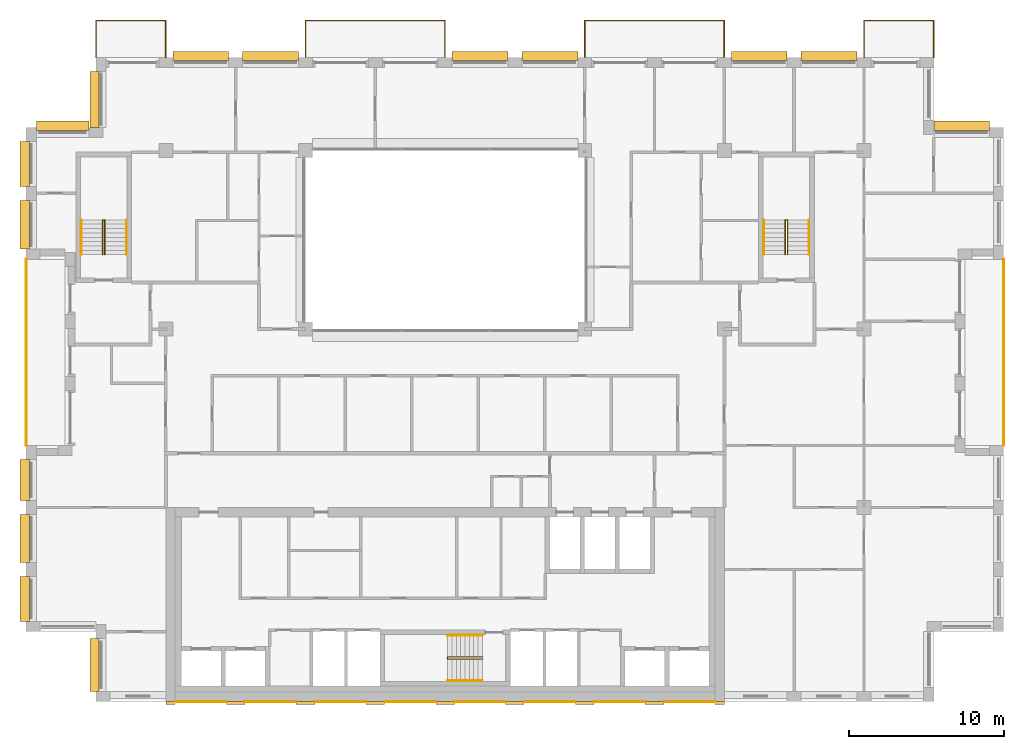
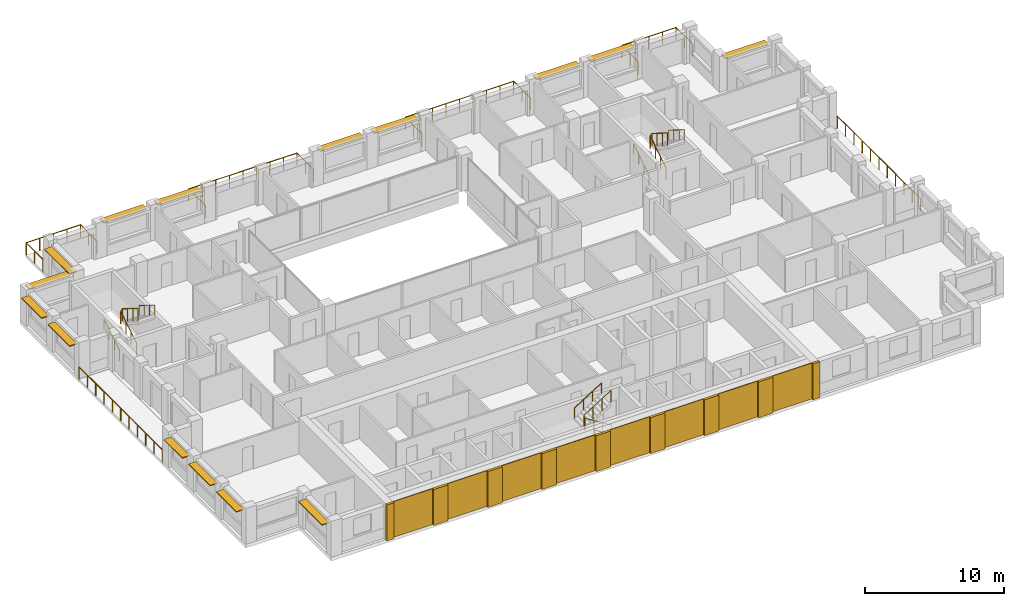
# One storey, part 15 of 15: 17 coverings, 15 railings, 15 shading devices.
"""IFC4 building model written with IfcOpenShell, lengths in metres."""

from ifc_helpers import new_model, si_unit, direction, frame, origin, origin_2d, place, context, subcontext, project, spatial, rectangle, circle, extrude, material, layer, layer_set, type_object, element, save


model = new_model("IFC4")

# Units and contexts
model_context = context("Model", 3, precision=1e-05, world=origin(), true_north=direction((0.0, 1.0)))
body_context = subcontext(model_context, "Body", "Model", "MODEL_VIEW")
ifc_project = project(units=[si_unit("LENGTHUNIT", "METRE"), si_unit("AREAUNIT", "SQUARE_METRE"), si_unit("VOLUMEUNIT", "CUBIC_METRE"), si_unit("PLANEANGLEUNIT", "RADIAN"), si_unit("MASSUNIT", "GRAM", prefix="KILO")], contexts=[model_context])

# Site, building, storey
site_placement = place(None, origin())
site = spatial("IfcSite", under=ifc_project, at=site_placement, CompositionType="ELEMENT")
building_placement = place(site_placement, origin())
building = spatial("IfcBuilding", under=site, at=building_placement, Name="Brigalow Station Residences", CompositionType="ELEMENT")
storey_placement = place(building_placement, frame((0.0, 0.0, 216.89990234375)))
storey = spatial("IfcBuildingStorey", under=building, at=storey_placement, Name="L62", CompositionType="ELEMENT", Elevation=216.89990234375)

# Railings
ifc_material_1 = material(Name="Stainless steel balustrade with laminated glass infill", Category="steel")
railing_type_1 = type_object("IfcRailingType", Name="BALCONY GUARD 1100", PredefinedType="GUARDRAIL", material=ifc_material_1)
railing_1_placement = place(storey_placement, frame((72.0, 16.5, -0.039794921875)))
element("IfcRailing", 1, at=railing_1_placement, inside=storey, type_object=railing_type_1, Name="L62/balcony-guard/1", PredefinedType="GUARDRAIL", context=body_context, shape_type="SweptSolid", body=[
    extrude(circle(Radius=0.02392578125, at=origin_2d()), frame((0.0, 0.0, 1.076171875), z_axis=(0.0, 1.0, 0.0), x_axis=(-1.0, 0.0, 0.0)), (0.0, 0.0, 1.0), 12.0),
    extrude(circle(Radius=0.02099609375, at=origin_2d()), origin(), (0.0, 0.0, 1.0), 1.052001953125),
    extrude(circle(Radius=0.02099609375, at=origin_2d()), frame((0.0, 1.199951171875, 0.0)), (0.0, 0.0, 1.0), 1.052001953125),
    extrude(circle(Radius=0.02099609375, at=origin_2d()), frame((0.0, 2.39990234375, 0.0)), (0.0, 0.0, 1.0), 1.052001953125),
    extrude(circle(Radius=0.02099609375, at=origin_2d()), frame((0.0, 3.60009765625, 0.0)), (0.0, 0.0, 1.0), 1.052001953125),
    extrude(circle(Radius=0.02099609375, at=origin_2d()), frame((0.0, 4.800048828125, 0.0)), (0.0, 0.0, 1.0), 1.052001953125),
    extrude(circle(Radius=0.02099609375, at=origin_2d()), frame((0.0, 6.0, 0.0)), (0.0, 0.0, 1.0), 1.052001953125),
    extrude(circle(Radius=0.02099609375, at=origin_2d()), frame((0.0, 7.199951171875, 0.0)), (0.0, 0.0, 1.0), 1.052001953125),
    extrude(circle(Radius=0.02099609375, at=origin_2d()), frame((0.0, 8.39990234375, 0.0)), (0.0, 0.0, 1.0), 1.052001953125),
    extrude(circle(Radius=0.02099609375, at=origin_2d()), frame((0.0, 9.60009765625, 0.0)), (0.0, 0.0, 1.0), 1.052001953125),
    extrude(circle(Radius=0.02099609375, at=origin_2d()), frame((0.0, 10.800048828125, 0.0)), (0.0, 0.0, 1.0), 1.052001953125),
    extrude(circle(Radius=0.02099609375, at=origin_2d()), frame((0.0, 12.0, 0.0)), (0.0, 0.0, 1.0), 1.052001953125),
])
railing_2_placement = place(storey_placement, frame((67.5, 41.5, -0.039794921875)))
element("IfcRailing", 2, at=railing_2_placement, inside=storey, type_object=railing_type_1, Name="L62/balcony-guard/2", PredefinedType="GUARDRAIL", context=body_context, shape_type="SweptSolid", body=[
    extrude(circle(Radius=0.02392578125, at=origin_2d()), frame((0.0, 0.0, 1.076171875), z_axis=(0.0, 1.0, 0.0), x_axis=(-1.0, 0.0, 0.0)), (0.0, 0.0, 1.0), 2.39990234375),
    extrude(circle(Radius=0.02392578125, at=origin_2d()), frame((0.0, 2.39990234375, 1.076171875), z_axis=(-1.0, 0.0, 0.0), x_axis=(0.0, -1.0, 0.0)), (0.0, 0.0, 1.0), 4.5),
    extrude(circle(Radius=0.02392578125, at=origin_2d()), frame((-4.5, 2.39990234375, 1.076171875), z_axis=(0.0, -1.0, 0.0), x_axis=(1.0, 0.0, 0.0)), (0.0, 0.0, 1.0), 2.39990234375),
    extrude(circle(Radius=0.02099609375, at=origin_2d()), origin(), (0.0, 0.0, 1.0), 1.052001953125),
    extrude(circle(Radius=0.02099609375, at=origin_2d()), frame((0.0, 1.199951171875, 0.0)), (0.0, 0.0, 1.0), 1.052001953125),
    extrude(circle(Radius=0.02099609375, at=origin_2d()), frame((0.0, 2.39990234375, 0.0)), (0.0, 0.0, 1.0), 1.052001953125),
    extrude(circle(Radius=0.02099609375, at=origin_2d()), frame((-1.125, 2.39990234375, 0.0)), (0.0, 0.0, 1.0), 1.052001953125),
    extrude(circle(Radius=0.02099609375, at=origin_2d()), frame((-2.25, 2.39990234375, 0.0)), (0.0, 0.0, 1.0), 1.052001953125),
    extrude(circle(Radius=0.02099609375, at=origin_2d()), frame((-3.375, 2.39990234375, 0.0)), (0.0, 0.0, 1.0), 1.052001953125),
    extrude(circle(Radius=0.02099609375, at=origin_2d()), frame((-4.5, 2.39990234375, 0.0)), (0.0, 0.0, 1.0), 1.052001953125),
    extrude(circle(Radius=0.02099609375, at=origin_2d()), frame((-4.5, 1.199951171875, 0.0)), (0.0, 0.0, 1.0), 1.052001953125),
    extrude(circle(Radius=0.02099609375, at=origin_2d()), frame((-4.5, 0.0, 0.0)), (0.0, 0.0, 1.0), 1.052001953125),
])
railing_3_placement = place(storey_placement, frame((54.0, 41.5, -0.039794921875)))
element("IfcRailing", 3, at=railing_3_placement, inside=storey, type_object=railing_type_1, Name="L62/balcony-guard/3", PredefinedType="GUARDRAIL", context=body_context, shape_type="SweptSolid", body=[
    extrude(circle(Radius=0.02392578125, at=origin_2d()), frame((0.0, 0.0, 1.076171875), z_axis=(0.0, 1.0, 0.0), x_axis=(-1.0, 0.0, 0.0)), (0.0, 0.0, 1.0), 2.39990234375),
    extrude(circle(Radius=0.02392578125, at=origin_2d()), frame((0.0, 2.39990234375, 1.076171875), z_axis=(-1.0, 0.0, 0.0), x_axis=(0.0, -1.0, 0.0)), (0.0, 0.0, 1.0), 9.0),
    extrude(circle(Radius=0.02392578125, at=origin_2d()), frame((-9.0, 2.39990234375, 1.076171875), z_axis=(0.0, -1.0, 0.0), x_axis=(1.0, 0.0, 0.0)), (0.0, 0.0, 1.0), 2.39990234375),
    extrude(circle(Radius=0.02099609375, at=origin_2d()), origin(), (0.0, 0.0, 1.0), 1.052001953125),
    extrude(circle(Radius=0.02099609375, at=origin_2d()), frame((0.0, 1.199951171875, 0.0)), (0.0, 0.0, 1.0), 1.052001953125),
    extrude(circle(Radius=0.02099609375, at=origin_2d()), frame((0.0, 2.39990234375, 0.0)), (0.0, 0.0, 1.0), 1.052001953125),
    extrude(circle(Radius=0.02099609375, at=origin_2d()), frame((-1.125, 2.39990234375, 0.0)), (0.0, 0.0, 1.0), 1.052001953125),
    extrude(circle(Radius=0.02099609375, at=origin_2d()), frame((-2.25, 2.39990234375, 0.0)), (0.0, 0.0, 1.0), 1.052001953125),
    extrude(circle(Radius=0.02099609375, at=origin_2d()), frame((-3.375, 2.39990234375, 0.0)), (0.0, 0.0, 1.0), 1.052001953125),
    extrude(circle(Radius=0.02099609375, at=origin_2d()), frame((-4.5, 2.39990234375, 0.0)), (0.0, 0.0, 1.0), 1.052001953125),
    extrude(circle(Radius=0.02099609375, at=origin_2d()), frame((-5.625, 2.39990234375, 0.0)), (0.0, 0.0, 1.0), 1.052001953125),
    extrude(circle(Radius=0.02099609375, at=origin_2d()), frame((-6.75, 2.39990234375, 0.0)), (0.0, 0.0, 1.0), 1.052001953125),
    extrude(circle(Radius=0.02099609375, at=origin_2d()), frame((-7.875, 2.39990234375, 0.0)), (0.0, 0.0, 1.0), 1.052001953125),
    extrude(circle(Radius=0.02099609375, at=origin_2d()), frame((-9.0, 2.39990234375, 0.0)), (0.0, 0.0, 1.0), 1.052001953125),
    extrude(circle(Radius=0.02099609375, at=origin_2d()), frame((-9.0, 1.199951171875, 0.0)), (0.0, 0.0, 1.0), 1.052001953125),
    extrude(circle(Radius=0.02099609375, at=origin_2d()), frame((-9.0, 0.0, 0.0)), (0.0, 0.0, 1.0), 1.052001953125),
])
railing_4_placement = place(storey_placement, frame((36.0, 41.5, -0.039794921875)))
element("IfcRailing", 4, at=railing_4_placement, inside=storey, type_object=railing_type_1, Name="L62/balcony-guard/4", PredefinedType="GUARDRAIL", context=body_context, shape_type="SweptSolid", body=[
    extrude(circle(Radius=0.02392578125, at=origin_2d()), frame((0.0, 0.0, 1.076171875), z_axis=(0.0, 1.0, 0.0), x_axis=(-1.0, 0.0, 0.0)), (0.0, 0.0, 1.0), 2.39990234375),
    extrude(circle(Radius=0.02392578125, at=origin_2d()), frame((0.0, 2.39990234375, 1.076171875), z_axis=(-1.0, 0.0, 0.0), x_axis=(0.0, -1.0, 0.0)), (0.0, 0.0, 1.0), 9.0),
    extrude(circle(Radius=0.02392578125, at=origin_2d()), frame((-9.0, 2.39990234375, 1.076171875), z_axis=(0.0, -1.0, 0.0), x_axis=(1.0, 0.0, 0.0)), (0.0, 0.0, 1.0), 2.39990234375),
    extrude(circle(Radius=0.02099609375, at=origin_2d()), origin(), (0.0, 0.0, 1.0), 1.052001953125),
    extrude(circle(Radius=0.02099609375, at=origin_2d()), frame((0.0, 1.199951171875, 0.0)), (0.0, 0.0, 1.0), 1.052001953125),
    extrude(circle(Radius=0.02099609375, at=origin_2d()), frame((0.0, 2.39990234375, 0.0)), (0.0, 0.0, 1.0), 1.052001953125),
    extrude(circle(Radius=0.02099609375, at=origin_2d()), frame((-1.125, 2.39990234375, 0.0)), (0.0, 0.0, 1.0), 1.052001953125),
    extrude(circle(Radius=0.02099609375, at=origin_2d()), frame((-2.25, 2.39990234375, 0.0)), (0.0, 0.0, 1.0), 1.052001953125),
    extrude(circle(Radius=0.02099609375, at=origin_2d()), frame((-3.375, 2.39990234375, 0.0)), (0.0, 0.0, 1.0), 1.052001953125),
    extrude(circle(Radius=0.02099609375, at=origin_2d()), frame((-4.5, 2.39990234375, 0.0)), (0.0, 0.0, 1.0), 1.052001953125),
    extrude(circle(Radius=0.02099609375, at=origin_2d()), frame((-5.625, 2.39990234375, 0.0)), (0.0, 0.0, 1.0), 1.052001953125),
    extrude(circle(Radius=0.02099609375, at=origin_2d()), frame((-6.75, 2.39990234375, 0.0)), (0.0, 0.0, 1.0), 1.052001953125),
    extrude(circle(Radius=0.02099609375, at=origin_2d()), frame((-7.875, 2.39990234375, 0.0)), (0.0, 0.0, 1.0), 1.052001953125),
    extrude(circle(Radius=0.02099609375, at=origin_2d()), frame((-9.0, 2.39990234375, 0.0)), (0.0, 0.0, 1.0), 1.052001953125),
    extrude(circle(Radius=0.02099609375, at=origin_2d()), frame((-9.0, 1.199951171875, 0.0)), (0.0, 0.0, 1.0), 1.052001953125),
    extrude(circle(Radius=0.02099609375, at=origin_2d()), frame((-9.0, 0.0, 0.0)), (0.0, 0.0, 1.0), 1.052001953125),
])
railing_5_placement = place(storey_placement, frame((18.0, 41.5, -0.039794921875)))
element("IfcRailing", 5, at=railing_5_placement, inside=storey, type_object=railing_type_1, Name="L62/balcony-guard/5", PredefinedType="GUARDRAIL", context=body_context, shape_type="SweptSolid", body=[
    extrude(circle(Radius=0.02392578125, at=origin_2d()), frame((0.0, 0.0, 1.076171875), z_axis=(0.0, 1.0, 0.0), x_axis=(-1.0, 0.0, 0.0)), (0.0, 0.0, 1.0), 2.39990234375),
    extrude(circle(Radius=0.02392578125, at=origin_2d()), frame((0.0, 2.39990234375, 1.076171875), z_axis=(-1.0, 0.0, 0.0), x_axis=(0.0, -1.0, 0.0)), (0.0, 0.0, 1.0), 4.5),
    extrude(circle(Radius=0.02392578125, at=origin_2d()), frame((-4.5, 2.39990234375, 1.076171875), z_axis=(0.0, -1.0, 0.0), x_axis=(1.0, 0.0, 0.0)), (0.0, 0.0, 1.0), 2.39990234375),
    extrude(circle(Radius=0.02099609375, at=origin_2d()), origin(), (0.0, 0.0, 1.0), 1.052001953125),
    extrude(circle(Radius=0.02099609375, at=origin_2d()), frame((0.0, 1.199951171875, 0.0)), (0.0, 0.0, 1.0), 1.052001953125),
    extrude(circle(Radius=0.02099609375, at=origin_2d()), frame((0.0, 2.39990234375, 0.0)), (0.0, 0.0, 1.0), 1.052001953125),
    extrude(circle(Radius=0.02099609375, at=origin_2d()), frame((-1.125, 2.39990234375, 0.0)), (0.0, 0.0, 1.0), 1.052001953125),
    extrude(circle(Radius=0.02099609375, at=origin_2d()), frame((-2.25, 2.39990234375, 0.0)), (0.0, 0.0, 1.0), 1.052001953125),
    extrude(circle(Radius=0.02099609375, at=origin_2d()), frame((-3.375, 2.39990234375, 0.0)), (0.0, 0.0, 1.0), 1.052001953125),
    extrude(circle(Radius=0.02099609375, at=origin_2d()), frame((-4.5, 2.39990234375, 0.0)), (0.0, 0.0, 1.0), 1.052001953125),
    extrude(circle(Radius=0.02099609375, at=origin_2d()), frame((-4.5, 1.199951171875, 0.0)), (0.0, 0.0, 1.0), 1.052001953125),
    extrude(circle(Radius=0.02099609375, at=origin_2d()), frame((-4.5, 0.0, 0.0)), (0.0, 0.0, 1.0), 1.052001953125),
])
railing_6_placement = place(storey_placement, frame((9.0, 28.5, -0.039794921875)))
element("IfcRailing", 6, at=railing_6_placement, inside=storey, type_object=railing_type_1, Name="L62/balcony-guard/6", PredefinedType="GUARDRAIL", context=body_context, shape_type="SweptSolid", body=[
    extrude(circle(Radius=0.02392578125, at=origin_2d()), frame((0.0, 0.0, 1.076171875), z_axis=(0.0, -1.0, 0.0), x_axis=(1.0, 0.0, 0.0)), (0.0, 0.0, 1.0), 12.0),
    extrude(circle(Radius=0.02099609375, at=origin_2d()), origin(), (0.0, 0.0, 1.0), 1.052001953125),
    extrude(circle(Radius=0.02099609375, at=origin_2d()), frame((0.0, -1.199951171875, 0.0)), (0.0, 0.0, 1.0), 1.052001953125),
    extrude(circle(Radius=0.02099609375, at=origin_2d()), frame((0.0, -2.39990234375, 0.0)), (0.0, 0.0, 1.0), 1.052001953125),
    extrude(circle(Radius=0.02099609375, at=origin_2d()), frame((0.0, -3.60009765625, 0.0)), (0.0, 0.0, 1.0), 1.052001953125),
    extrude(circle(Radius=0.02099609375, at=origin_2d()), frame((0.0, -4.800048828125, 0.0)), (0.0, 0.0, 1.0), 1.052001953125),
    extrude(circle(Radius=0.02099609375, at=origin_2d()), frame((0.0, -6.0, 0.0)), (0.0, 0.0, 1.0), 1.052001953125),
    extrude(circle(Radius=0.02099609375, at=origin_2d()), frame((0.0, -7.199951171875, 0.0)), (0.0, 0.0, 1.0), 1.052001953125),
    extrude(circle(Radius=0.02099609375, at=origin_2d()), frame((0.0, -8.39990234375, 0.0)), (0.0, 0.0, 1.0), 1.052001953125),
    extrude(circle(Radius=0.02099609375, at=origin_2d()), frame((0.0, -9.60009765625, 0.0)), (0.0, 0.0, 1.0), 1.052001953125),
    extrude(circle(Radius=0.02099609375, at=origin_2d()), frame((0.0, -10.800048828125, 0.0)), (0.0, 0.0, 1.0), 1.052001953125),
    extrude(circle(Radius=0.02099609375, at=origin_2d()), frame((0.0, -12.0, 0.0)), (0.0, 0.0, 1.0), 1.052001953125),
])

# Coverings
ifc_material_2 = material(Name="Clay brick masonry", Category="masonry")
ifc_layer_1 = layer(ifc_material_2, 0.06005859375)
ifc_layer_set_1 = layer_set([ifc_layer_1], Name="BRICK PANEL FACING 60")
covering_type_1 = type_object("IfcCoveringType", Name="BRICK PANEL FACING 60", PredefinedType="CLADDING", material=ifc_layer_set_1)
for number, where, z_axis, x_axis, name in (
    (7, (20.25, -0.030029296875, 0.000244140625), (0.0, 0.0, 1.0), (1.0, 0.0, 0.0), "L62/rear-facing/panel-1"),
    (8, (24.75, -0.030029296875, 0.000244140625), (0.0, 0.0, 1.0), (1.0, 0.0, 0.0), "L62/rear-facing/panel-2"),
    (9, (29.25, -0.030029296875, 0.000244140625), (0.0, 0.0, 1.0), (1.0, 0.0, 0.0), "L62/rear-facing/panel-3"),
    (10, (33.75, -0.030029296875, 0.000244140625), (0.0, 0.0, 1.0), (1.0, 0.0, 0.0), "L62/rear-facing/panel-4"),
    (11, (38.25, -0.030029296875, 0.000244140625), (0.0, 0.0, 1.0), (1.0, 0.0, 0.0), "L62/rear-facing/panel-5"),
    (12, (42.75, -0.030029296875, 0.000244140625), (0.0, 0.0, 1.0), (1.0, 0.0, 0.0), "L62/rear-facing/panel-6"),
    (13, (47.25, -0.030029296875, 0.000244140625), (0.0, 0.0, 1.0), (1.0, 0.0, 0.0), "L62/rear-facing/panel-7"),
    (14, (51.75, -0.030029296875, 0.000244140625), (0.0, 0.0, 1.0), (1.0, 0.0, 0.0), "L62/rear-facing/panel-8"),
):
    element("IfcCovering", number, at=place(storey_placement, frame(where, z_axis=z_axis, x_axis=x_axis)), inside=storey, type_object=covering_type_1, Name=name, PredefinedType="CLADDING", context=body_context, shape_type="SweptSolid", body=[
        extrude(rectangle(XDim=3.300048828125, YDim=0.06005859375, at=origin_2d()), origin(), (0.0, 0.0, 1.0), 3.14990234375),
    ])
ifc_material_3 = material(Name="Clay brick masonry", Category="masonry")
ifc_layer_2 = layer(ifc_material_3, 0.199951171875)
ifc_layer_set_2 = layer_set([ifc_layer_2], Name="BRICK PIER FACING 200")
covering_type_2 = type_object("IfcCoveringType", Name="BRICK PIER FACING 200", PredefinedType="CLADDING", material=ifc_layer_set_2)
covering_1_placement = place(storey_placement, frame((18.300048828125, -0.10009765625, 0.000244140625), z_axis=(0.0, 0.0, 1.0), x_axis=(1.0, 0.0, 0.0)))
element("IfcCovering", 15, at=covering_1_placement, inside=storey, type_object=covering_type_2, Name="L62/rear-facing/pier-1", PredefinedType="CLADDING", context=body_context, shape_type="SweptSolid", body=[
    extrude(rectangle(XDim=0.60009765625, YDim=0.199951171875, at=origin_2d()), origin(), (0.0, 0.0, 1.0), 3.14990234375),
])
for number, where, z_axis, x_axis, name in (
    (16, (22.5, -0.10009765625, 0.000244140625), (0.0, 0.0, 1.0), (1.0, 0.0, 0.0), "L62/rear-facing/pier-2"),
    (17, (27.0, -0.10009765625, 0.000244140625), (0.0, 0.0, 1.0), (1.0, 0.0, 0.0), "L62/rear-facing/pier-3"),
    (18, (31.5, -0.10009765625, 0.000244140625), (0.0, 0.0, 1.0), (1.0, 0.0, 0.0), "L62/rear-facing/pier-4"),
    (19, (36.0, -0.10009765625, 0.000244140625), (0.0, 0.0, 1.0), (1.0, 0.0, 0.0), "L62/rear-facing/pier-5"),
    (20, (40.5, -0.10009765625, 0.000244140625), (0.0, 0.0, 1.0), (1.0, 0.0, 0.0), "L62/rear-facing/pier-6"),
    (21, (45.0, -0.10009765625, 0.000244140625), (0.0, 0.0, 1.0), (1.0, 0.0, 0.0), "L62/rear-facing/pier-7"),
    (22, (49.5, -0.10009765625, 0.000244140625), (0.0, 0.0, 1.0), (1.0, 0.0, 0.0), "L62/rear-facing/pier-8"),
):
    element("IfcCovering", number, at=place(storey_placement, frame(where, z_axis=z_axis, x_axis=x_axis)), inside=storey, type_object=covering_type_2, Name=name, PredefinedType="CLADDING", context=body_context, shape_type="SweptSolid", body=[
        extrude(rectangle(XDim=1.199951171875, YDim=0.199951171875, at=origin_2d()), origin(), (0.0, 0.0, 1.0), 3.14990234375),
    ])
covering_2_placement = place(storey_placement, frame((53.699951171875, -0.10009765625, 0.000244140625), z_axis=(0.0, 0.0, 1.0), x_axis=(1.0, 0.0, 0.0)))
element("IfcCovering", 23, at=covering_2_placement, inside=storey, type_object=covering_type_2, Name="L62/rear-facing/pier-9", PredefinedType="CLADDING", context=body_context, shape_type="SweptSolid", body=[
    extrude(rectangle(XDim=0.60009765625, YDim=0.199951171875, at=origin_2d()), origin(), (0.0, 0.0, 1.0), 3.14990234375),
])

# Railings
ifc_material_4 = material(Name="Stainless steel balustrade", Category="steel")
railing_type_2 = type_object("IfcRailingType", Name="STAIR GUARD 1100", PredefinedType="GUARDRAIL", material=ifc_material_4)
railing_7_placement = place(storey_placement, frame((38.39990234375, 2.72998046875, 0.175048828125)))
element("IfcRailing", 24, at=railing_7_placement, inside=storey, type_object=railing_type_2, Name="GUARD GR-2", PredefinedType="GUARDRAIL", context=body_context, shape_type="SweptSolid", body=[
    extrude(circle(Radius=0.02392578125, at=origin_2d()), frame((0.0, 0.0, 1.076171875), z_axis=(-0.847972341737, 0.0, 0.530040477369), x_axis=(0.0, -1.0, 0.0)), (0.0, 0.0, 1.0), 2.6416015625),
    extrude(circle(Radius=0.02392578125, at=origin_2d()), frame((-2.239990234375, 0.0, 2.47607421875), z_axis=(0.0, 0.62549206879, 0.780230524833), x_axis=(-1.0, 0.0, 0.0)), (0.0, 0.0, 1.0), 0.22412109375),
    extrude(circle(Radius=0.02392578125, at=origin_2d()), frame((-2.239990234375, 0.14013671875, 2.65087890625), z_axis=(0.847972341737, 0.0, 0.530040477369), x_axis=(0.0, 1.0, 0.0)), (0.0, 0.0, 1.0), 2.6416015625),
    extrude(circle(Radius=0.02099609375, at=origin_2d()), origin(), (0.0, 0.0, 1.0), 1.052001953125),
    extrude(circle(Radius=0.02099609375, at=origin_2d()), frame((-0.74658203125, 0.0, 0.466796875)), (0.0, 0.0, 1.0), 1.052001953125),
    extrude(circle(Radius=0.02099609375, at=origin_2d()), frame((-1.493408203125, 0.0, 0.933349609375)), (0.0, 0.0, 1.0), 1.052001953125),
    extrude(circle(Radius=0.02099609375, at=origin_2d()), frame((-2.239990234375, 0.0, 1.400146484375)), (0.0, 0.0, 1.0), 1.052001953125),
    extrude(circle(Radius=0.02099609375, at=origin_2d()), frame((-2.239990234375, 0.14013671875, 1.574951171875)), (0.0, 0.0, 1.0), 1.052001953125),
    extrude(circle(Radius=0.02099609375, at=origin_2d()), frame((-1.493408203125, 0.14013671875, 2.041748046875)), (0.0, 0.0, 1.0), 1.052001953125),
    extrude(circle(Radius=0.02099609375, at=origin_2d()), frame((-0.74658203125, 0.14013671875, 2.50830078125)), (0.0, 0.0, 1.0), 1.052001953125),
    extrude(circle(Radius=0.02099609375, at=origin_2d()), frame((0.0, 0.14013671875, 2.97509765625)), (0.0, 0.0, 1.0), 1.052001953125),
])
for number, where, name in (
    (25, (13.929931640625, 28.800048828125, 0.175048828125), "GUARD GR-1"),
    (26, (57.929931640625, 28.800048828125, 0.175048828125), "GUARD GR-3"),
):
    element("IfcRailing", number, at=place(storey_placement, frame(where)), inside=storey, type_object=railing_type_2, Name=name, PredefinedType="GUARDRAIL", context=body_context, shape_type="SweptSolid", body=[
        extrude(circle(Radius=0.02392578125, at=origin_2d()), frame((0.0, 0.0, 1.076171875), z_axis=(0.0, 0.847972341737, 0.530040477369), x_axis=(-1.0, 0.0, 0.0)), (0.0, 0.0, 1.0), 2.6416015625),
        extrude(circle(Radius=0.02392578125, at=origin_2d()), frame((0.0, 2.239990234375, 2.47607421875), z_axis=(0.62549206879, 0.0, 0.780230524833), x_axis=(0.0, 1.0, 0.0)), (0.0, 0.0, 1.0), 0.22412109375),
        extrude(circle(Radius=0.02392578125, at=origin_2d()), frame((0.14013671875, 2.239990234375, 2.65087890625), z_axis=(0.0, -0.847972341737, 0.530040477369), x_axis=(1.0, 0.0, 0.0)), (0.0, 0.0, 1.0), 2.6416015625),
        extrude(circle(Radius=0.02099609375, at=origin_2d()), origin(), (0.0, 0.0, 1.0), 1.052001953125),
        extrude(circle(Radius=0.02099609375, at=origin_2d()), frame((0.0, 0.74658203125, 0.466796875)), (0.0, 0.0, 1.0), 1.052001953125),
        extrude(circle(Radius=0.02099609375, at=origin_2d()), frame((0.0, 1.493408203125, 0.933349609375)), (0.0, 0.0, 1.0), 1.052001953125),
        extrude(circle(Radius=0.02099609375, at=origin_2d()), frame((0.0, 2.239990234375, 1.400146484375)), (0.0, 0.0, 1.0), 1.052001953125),
        extrude(circle(Radius=0.02099609375, at=origin_2d()), frame((0.14013671875, 2.239990234375, 1.574951171875)), (0.0, 0.0, 1.0), 1.052001953125),
        extrude(circle(Radius=0.02099609375, at=origin_2d()), frame((0.14013671875, 1.493408203125, 2.041748046875)), (0.0, 0.0, 1.0), 1.052001953125),
        extrude(circle(Radius=0.02099609375, at=origin_2d()), frame((0.14013671875, 0.74658203125, 2.50830078125)), (0.0, 0.0, 1.0), 1.052001953125),
        extrude(circle(Radius=0.02099609375, at=origin_2d()), frame((0.14013671875, 0.0, 2.97509765625)), (0.0, 0.0, 1.0), 1.052001953125),
    ])
ifc_material_5 = material(Name="Stainless steel handrail", Category="steel")
railing_type_3 = type_object("IfcRailingType", Name="STAIR HANDRAIL 900", PredefinedType="HANDRAIL", material=ifc_material_5)
railing_8_placement = place(storey_placement, frame((38.39990234375, 1.340087890625, 0.175048828125)))
element("IfcRailing", 27, at=railing_8_placement, inside=storey, type_object=railing_type_3, Name="HANDRAIL HR-21", PredefinedType="HANDRAIL", context=body_context, shape_type="SweptSolid", body=[
    extrude(circle(Radius=0.02392578125, at=origin_2d()), frame((0.0, 0.0, 0.8759765625), z_axis=(-0.847972341737, 0.0, 0.530040477369), x_axis=(0.0, -1.0, 0.0)), (0.0, 0.0, 1.0), 2.6416015625),
    extrude(circle(Radius=0.02099609375, at=origin_2d()), origin(), (0.0, 0.0, 1.0), 0.851806640625),
    extrude(circle(Radius=0.02099609375, at=origin_2d()), frame((-0.74658203125, 0.0, 0.466796875)), (0.0, 0.0, 1.0), 0.851806640625),
    extrude(circle(Radius=0.02099609375, at=origin_2d()), frame((-1.493408203125, 0.0, 0.933349609375)), (0.0, 0.0, 1.0), 0.851806640625),
    extrude(circle(Radius=0.02099609375, at=origin_2d()), frame((-2.239990234375, 0.0, 1.400146484375)), (0.0, 0.0, 1.0), 0.851806640625),
])
railing_9_placement = place(storey_placement, frame((36.159912109375, 4.260009765625, 1.75)))
element("IfcRailing", 28, at=railing_9_placement, inside=storey, type_object=railing_type_3, Name="HANDRAIL HR-22", PredefinedType="HANDRAIL", context=body_context, shape_type="SweptSolid", body=[
    extrude(circle(Radius=0.02392578125, at=origin_2d()), frame((0.0, 0.0, 0.8759765625), z_axis=(0.847972341737, 0.0, 0.530040477369), x_axis=(0.0, 1.0, 0.0)), (0.0, 0.0, 1.0), 2.6416015625),
    extrude(circle(Radius=0.02099609375, at=origin_2d()), origin(), (0.0, 0.0, 1.0), 0.851806640625),
    extrude(circle(Radius=0.02099609375, at=origin_2d()), frame((0.74658203125, 0.0, 0.466796875)), (0.0, 0.0, 1.0), 0.851806640625),
    extrude(circle(Radius=0.02099609375, at=origin_2d()), frame((1.493408203125, 0.0, 0.933349609375)), (0.0, 0.0, 1.0), 0.851806640625),
    extrude(circle(Radius=0.02099609375, at=origin_2d()), frame((2.239990234375, 0.0, 1.400146484375)), (0.0, 0.0, 1.0), 0.851806640625),
])
railing_10_placement = place(storey_placement, frame((12.5400390625, 28.800048828125, 0.175048828125)))
element("IfcRailing", 29, at=railing_10_placement, inside=storey, type_object=railing_type_3, Name="HANDRAIL HR-11", PredefinedType="HANDRAIL", context=body_context, shape_type="SweptSolid", body=[
    extrude(circle(Radius=0.02392578125, at=origin_2d()), frame((0.0, 0.0, 0.8759765625), z_axis=(0.0, 0.847972341737, 0.530040477369), x_axis=(-1.0, 0.0, 0.0)), (0.0, 0.0, 1.0), 2.6416015625),
    extrude(circle(Radius=0.02099609375, at=origin_2d()), origin(), (0.0, 0.0, 1.0), 0.851806640625),
    extrude(circle(Radius=0.02099609375, at=origin_2d()), frame((0.0, 0.74658203125, 0.466796875)), (0.0, 0.0, 1.0), 0.851806640625),
    extrude(circle(Radius=0.02099609375, at=origin_2d()), frame((0.0, 1.493408203125, 0.933349609375)), (0.0, 0.0, 1.0), 0.851806640625),
    extrude(circle(Radius=0.02099609375, at=origin_2d()), frame((0.0, 2.239990234375, 1.400146484375)), (0.0, 0.0, 1.0), 0.851806640625),
])
railing_11_placement = place(storey_placement, frame((15.4599609375, 31.0400390625, 1.75)))
element("IfcRailing", 30, at=railing_11_placement, inside=storey, type_object=railing_type_3, Name="HANDRAIL HR-12", PredefinedType="HANDRAIL", context=body_context, shape_type="SweptSolid", body=[
    extrude(circle(Radius=0.02392578125, at=origin_2d()), frame((0.0, 0.0, 0.8759765625), z_axis=(0.0, -0.847972341737, 0.530040477369), x_axis=(1.0, 0.0, 0.0)), (0.0, 0.0, 1.0), 2.6416015625),
    extrude(circle(Radius=0.02099609375, at=origin_2d()), origin(), (0.0, 0.0, 1.0), 0.851806640625),
    extrude(circle(Radius=0.02099609375, at=origin_2d()), frame((0.0, -0.74658203125, 0.466796875)), (0.0, 0.0, 1.0), 0.851806640625),
    extrude(circle(Radius=0.02099609375, at=origin_2d()), frame((0.0, -1.493408203125, 0.933349609375)), (0.0, 0.0, 1.0), 0.851806640625),
    extrude(circle(Radius=0.02099609375, at=origin_2d()), frame((0.0, -2.239990234375, 1.400146484375)), (0.0, 0.0, 1.0), 0.851806640625),
])
railing_12_placement = place(storey_placement, frame((56.5400390625, 28.800048828125, 0.175048828125)))
element("IfcRailing", 31, at=railing_12_placement, inside=storey, type_object=railing_type_3, Name="HANDRAIL HR-31", PredefinedType="HANDRAIL", context=body_context, shape_type="SweptSolid", body=[
    extrude(circle(Radius=0.02392578125, at=origin_2d()), frame((0.0, 0.0, 0.8759765625), z_axis=(0.0, 0.847972341737, 0.530040477369), x_axis=(-1.0, 0.0, 0.0)), (0.0, 0.0, 1.0), 2.6416015625),
    extrude(circle(Radius=0.02099609375, at=origin_2d()), origin(), (0.0, 0.0, 1.0), 0.851806640625),
    extrude(circle(Radius=0.02099609375, at=origin_2d()), frame((0.0, 0.74658203125, 0.466796875)), (0.0, 0.0, 1.0), 0.851806640625),
    extrude(circle(Radius=0.02099609375, at=origin_2d()), frame((0.0, 1.493408203125, 0.933349609375)), (0.0, 0.0, 1.0), 0.851806640625),
    extrude(circle(Radius=0.02099609375, at=origin_2d()), frame((0.0, 2.239990234375, 1.400146484375)), (0.0, 0.0, 1.0), 0.851806640625),
])
railing_13_placement = place(storey_placement, frame((59.4599609375, 31.0400390625, 1.75)))
element("IfcRailing", 32, at=railing_13_placement, inside=storey, type_object=railing_type_3, Name="HANDRAIL HR-32", PredefinedType="HANDRAIL", context=body_context, shape_type="SweptSolid", body=[
    extrude(circle(Radius=0.02392578125, at=origin_2d()), frame((0.0, 0.0, 0.8759765625), z_axis=(0.0, -0.847972341737, 0.530040477369), x_axis=(1.0, 0.0, 0.0)), (0.0, 0.0, 1.0), 2.6416015625),
    extrude(circle(Radius=0.02099609375, at=origin_2d()), origin(), (0.0, 0.0, 1.0), 0.851806640625),
    extrude(circle(Radius=0.02099609375, at=origin_2d()), frame((0.0, -0.74658203125, 0.466796875)), (0.0, 0.0, 1.0), 0.851806640625),
    extrude(circle(Radius=0.02099609375, at=origin_2d()), frame((0.0, -1.493408203125, 0.933349609375)), (0.0, 0.0, 1.0), 0.851806640625),
    extrude(circle(Radius=0.02099609375, at=origin_2d()), frame((0.0, -2.239990234375, 1.400146484375)), (0.0, 0.0, 1.0), 0.851806640625),
])

# Shading devices
ifc_material_6 = material(Name="Powder-coated extruded aluminium blade", Category="aluminium")
ifc_layer_3 = layer(ifc_material_6, 0.080078125)
ifc_layer_set_3 = layer_set([ifc_layer_3], Name="SUNSHADE BLADE 600x80")
shading_device_type = type_object("IfcShadingDeviceType", Name="SUNSHADE BLADE 600x80", PredefinedType="JALOUSIE", material=ifc_layer_set_3)
for number, where, z_axis, x_axis, name in (
    (33, (69.300048828125, 37.10009765625, 2.550048828125), (0.0, 0.0, 1.0), (-1.0, 0.0, 0.0), "L62/blade/W-L62-18"),
    (34, (60.75, 41.60009765625, 2.550048828125), (0.0, 0.0, 1.0), (-1.0, 0.0, 0.0), "L62/blade/W-L62-21"),
    (35, (56.25, 41.60009765625, 2.550048828125), (0.0, 0.0, 1.0), (-1.0, 0.0, 0.0), "L62/blade/W-L62-22"),
    (36, (42.75, 41.60009765625, 2.550048828125), (0.0, 0.0, 1.0), (-1.0, 0.0, 0.0), "L62/blade/W-L62-25"),
    (37, (38.25, 41.60009765625, 2.550048828125), (0.0, 0.0, 1.0), (-1.0, 0.0, 0.0), "L62/blade/W-L62-26"),
    (38, (24.75, 41.60009765625, 2.550048828125), (0.0, 0.0, 1.0), (-1.0, 0.0, 0.0), "L62/blade/W-L62-29"),
    (39, (20.25, 41.60009765625, 2.550048828125), (0.0, 0.0, 1.0), (-1.0, 0.0, 0.0), "L62/blade/W-L62-30"),
    (40, (13.39990234375, 38.800048828125, 2.550048828125), (0.0, 0.0, 1.0), (0.0, -1.0, 0.0), "L62/blade/W-L62-32"),
):
    element("IfcShadingDevice", number, at=place(storey_placement, frame(where, z_axis=z_axis, x_axis=x_axis)), inside=storey, type_object=shading_device_type, Name=name, PredefinedType="JALOUSIE", context=body_context, shape_type="SweptSolid", body=[
        extrude(rectangle(XDim=3.60009765625, YDim=0.60009765625, at=origin_2d()), origin(), (0.0, 0.0, 1.0), 0.080078125),
    ])
shading_device_1_placement = place(storey_placement, frame((11.35009765625, 37.10009765625, 2.550048828125), z_axis=(0.0, 0.0, 1.0), x_axis=(-1.0, 0.0, 0.0)))
element("IfcShadingDevice", 41, at=shading_device_1_placement, inside=storey, type_object=shading_device_type, Name="L62/blade/W-L62-33", PredefinedType="JALOUSIE", context=body_context, shape_type="SweptSolid", body=[
    extrude(rectangle(XDim=3.39990234375, YDim=0.60009765625, at=origin_2d()), origin(), (0.0, 0.0, 1.0), 0.080078125),
])
shading_device_2_placement = place(storey_placement, frame((8.89990234375, 34.64990234375, 2.550048828125), z_axis=(0.0, 0.0, 1.0), x_axis=(0.0, -1.0, 0.0)))
element("IfcShadingDevice", 42, at=shading_device_2_placement, inside=storey, type_object=shading_device_type, Name="L62/blade/W-L62-34", PredefinedType="JALOUSIE", context=body_context, shape_type="SweptSolid", body=[
    extrude(rectangle(XDim=2.89990234375, YDim=0.60009765625, at=origin_2d()), origin(), (0.0, 0.0, 1.0), 0.080078125),
])
shading_device_3_placement = place(storey_placement, frame((8.89990234375, 30.72509765625, 2.550048828125), z_axis=(0.0, 0.0, 1.0), x_axis=(0.0, -1.0, 0.0)))
element("IfcShadingDevice", 43, at=shading_device_3_placement, inside=storey, type_object=shading_device_type, Name="L62/blade/W-L62-35", PredefinedType="JALOUSIE", context=body_context, shape_type="SweptSolid", body=[
    extrude(rectangle(XDim=3.14990234375, YDim=0.60009765625, at=origin_2d()), origin(), (0.0, 0.0, 1.0), 0.080078125),
])
shading_device_4_placement = place(storey_placement, frame((8.89990234375, 14.27490234375, 2.550048828125), z_axis=(0.0, 0.0, 1.0), x_axis=(0.0, -1.0, 0.0)))
element("IfcShadingDevice", 44, at=shading_device_4_placement, inside=storey, type_object=shading_device_type, Name="L62/blade/W-L62-41", PredefinedType="JALOUSIE", context=body_context, shape_type="SweptSolid", body=[
    extrude(rectangle(XDim=2.64990234375, YDim=0.60009765625, at=origin_2d()), origin(), (0.0, 0.0, 1.0), 0.080078125),
])
shading_device_5_placement = place(storey_placement, frame((8.89990234375, 10.5, 2.550048828125), z_axis=(0.0, 0.0, 1.0), x_axis=(0.0, -1.0, 0.0)))
element("IfcShadingDevice", 45, at=shading_device_5_placement, inside=storey, type_object=shading_device_type, Name="L62/blade/W-L62-42", PredefinedType="JALOUSIE", context=body_context, shape_type="SweptSolid", body=[
    extrude(rectangle(XDim=3.10009765625, YDim=0.60009765625, at=origin_2d()), origin(), (0.0, 0.0, 1.0), 0.080078125),
])
shading_device_6_placement = place(storey_placement, frame((8.89990234375, 6.60009765625, 2.550048828125), z_axis=(0.0, 0.0, 1.0), x_axis=(0.0, -1.0, 0.0)))
element("IfcShadingDevice", 46, at=shading_device_6_placement, inside=storey, type_object=shading_device_type, Name="L62/blade/W-L62-43", PredefinedType="JALOUSIE", context=body_context, shape_type="SweptSolid", body=[
    extrude(rectangle(XDim=2.89990234375, YDim=0.60009765625, at=origin_2d()), origin(), (0.0, 0.0, 1.0), 0.080078125),
])
shading_device_7_placement = place(storey_placement, frame((13.39990234375, 2.35009765625, 2.550048828125), z_axis=(0.0, 0.0, 1.0), x_axis=(0.0, -1.0, 0.0)))
element("IfcShadingDevice", 47, at=shading_device_7_placement, inside=storey, type_object=shading_device_type, Name="L62/blade/W-L62-45", PredefinedType="JALOUSIE", context=body_context, shape_type="SweptSolid", body=[
    extrude(rectangle(XDim=3.39990234375, YDim=0.60009765625, at=origin_2d()), origin(), (0.0, 0.0, 1.0), 0.080078125),
])

save(model, "model.ifc")
